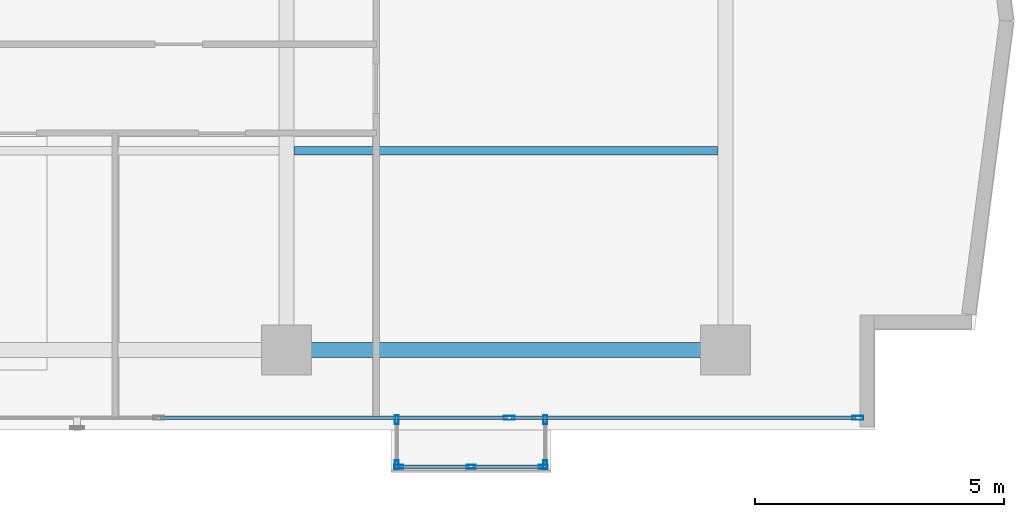
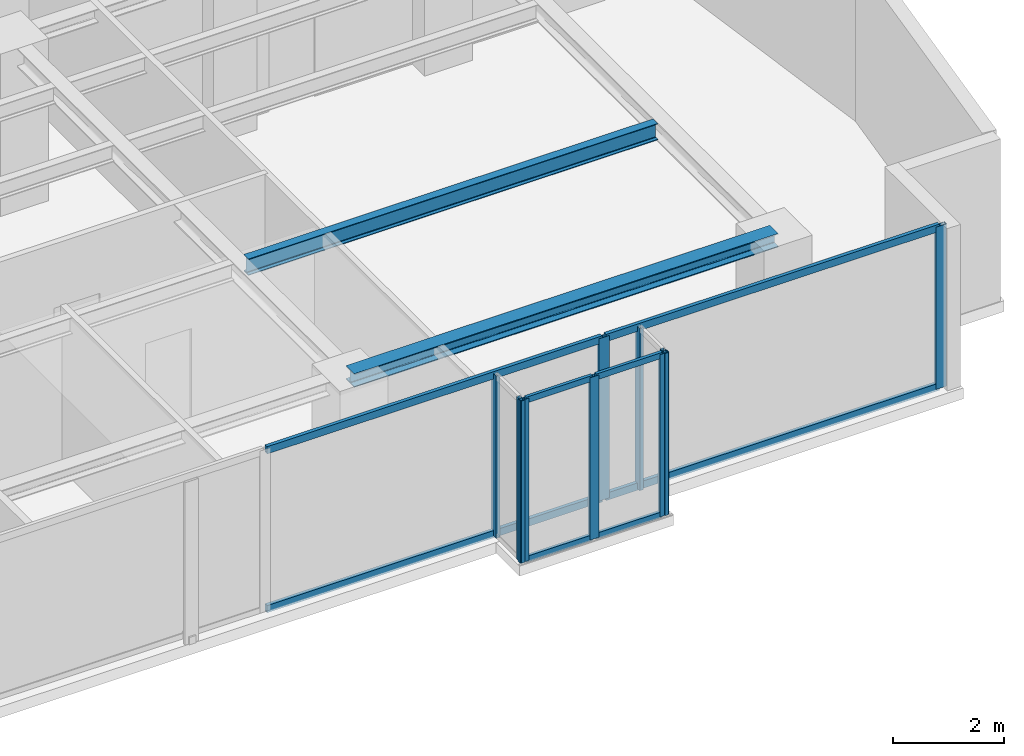
# One storey, part 10 of 23: 17 members, 2 beams, 4 elements without a shape of their own.
"""IFC4 building model written with IfcOpenShell, lengths in metres."""

from ifc_helpers import new_model, si_unit, direction, frame, origin, origin_with_axes, origin_2d, place, context, subcontext, project, spatial, hollow_rectangle, i_section, extrude, source, transform, mapped, material, layer, layer_set, material_profile, profile_set, type_object, element, aggregate, save


model = new_model("IFC4")

# Units and contexts
model_context = context("Model", 3, precision=1e-05, world=origin(), true_north=direction((0.0, 1.0)))
body_context = subcontext(model_context, "Body", "Model", "MODEL_VIEW")
ifc_project = project(units=[si_unit("LENGTHUNIT", "METRE"), si_unit("AREAUNIT", "SQUARE_METRE"), si_unit("VOLUMEUNIT", "CUBIC_METRE"), si_unit("PLANEANGLEUNIT", "RADIAN"), si_unit("MASSUNIT", "GRAM", prefix="KILO")], contexts=[model_context])

# Site, building, storey
site_placement = place(None, origin())
site = spatial("IfcSite", under=ifc_project, at=site_placement, CompositionType="ELEMENT")
building_placement = place(site_placement, origin())
building = spatial("IfcBuilding", under=site, at=building_placement, Name="Kolvaren Waterfront Exchange", CompositionType="ELEMENT")
storey_placement = place(building_placement, frame((0.0, 0.0, 242.5)))
storey = spatial("IfcBuildingStorey", under=building, at=storey_placement, Name="L62", CompositionType="ELEMENT", Elevation=242.5)

# Beams
ifc_material_1 = material(Name="Steel S355", Category="steel")
ifc_material_profile_1 = material_profile(ifc_material_1, i_section(OverallWidth=0.300048828125, OverallDepth=0.300048828125, WebThickness=0.010986328125, FlangeThickness=0.01904296875, FilletRadius=0.027099609375, at=origin_2d()), Name="HEB300")
ifc_profile_set_1 = profile_set([ifc_material_profile_1], Name="Steel S355")
beam_type_1 = type_object("IfcBeamType", Name="STR-BM-HEB300", PredefinedType="SPANDREL", material=ifc_profile_set_1)
beam_1_placement = place(storey_placement, frame((36.800048828125, 5.199951171875, 3.409912109375), z_axis=(1.0, 0.0, 0.0), x_axis=(0.0, 1.0, 0.0)))
element("IfcBeam", 1, at=beam_1_placement, inside=storey, type_object=beam_type_1, Name="L62 east-arm spandrel S3", PredefinedType="SPANDREL", context=body_context, shape_type="SweptSolid", body=[
    extrude(i_section(OverallWidth=0.300048828125, OverallDepth=0.300048828125, WebThickness=0.010986328125, FlangeThickness=0.01904296875, FilletRadius=0.027099609375, at=origin_2d()), origin(), (0.0, 0.0, 1.0), 8.800048828125),
])
ifc_material_profile_2 = material_profile(ifc_material_1, i_section(OverallWidth=0.169921875, OverallDepth=0.360107421875, WebThickness=0.008056640625, FlangeThickness=0.0126953125, FilletRadius=0.01806640625, at=origin_2d()), Name="IPE360")
ifc_profile_set_2 = profile_set([ifc_material_profile_2], Name="Steel S355")
beam_type_2 = type_object("IfcBeamType", Name="STR-BM-IPE360", PredefinedType="JOIST", material=ifc_profile_set_2)
beam_2_placement = place(storey_placement, frame((36.951904296875, 9.199951171875, 3.3798828125), z_axis=(1.0, 0.0, 0.0), x_axis=(0.0, 1.0, 0.0)))
element("IfcBeam", 2, at=beam_2_placement, inside=storey, type_object=beam_type_2, Name="L62 east-arm composite joist 3B", PredefinedType="JOIST", context=body_context, shape_type="SweptSolid", body=[
    extrude(i_section(OverallWidth=0.169921875, OverallDepth=0.360107421875, WebThickness=0.008056640625, FlangeThickness=0.0126953125, FilletRadius=0.01806640625, at=origin_2d()), origin(), (0.0, 0.0, 1.0), 8.49609375),
])

# Curtain wall, members
ifc_material_2 = material(Name="Anodised bronze aluminium 6063-T6", Category="aluminium")
ifc_layer_1 = layer(ifc_material_2, 0.219970703125, Name="Anodised bronze aluminium 6063-T6")
ifc_layer_set_1 = layer_set([ifc_layer_1], Name="Anodised bronze aluminium 6063-T6")
curtain_wall_type_1 = type_object("IfcCurtainWallType", Name="ARC-CW-SYS3", PredefinedType="USERDEFINED", material=ifc_layer_set_1)
curtain_wall_1_placement = place(storey_placement, origin())
curtain_wall_1 = element("IfcCurtainWall", 3, at=curtain_wall_1_placement, inside=storey, type_object=curtain_wall_type_1, Name="L62 stick curtain wall CW3 (CW-L62-BOX)", ObjectType="STICK CURTAIN WALL", PredefinedType="USERDEFINED")
ifc_material_profile_3 = material_profile(ifc_material_2, hollow_rectangle(XDim=0.06494140625, YDim=0.1298828125, WallThickness=0.00390625, at=origin_2d()), Name="ALU-TRN-130x65x4")
ifc_profile_set_3 = profile_set([ifc_material_profile_3], Name="Anodised bronze aluminium 6063-T6")
member_type_1 = type_object("IfcMemberType", Name="ARC-CWT-130", PredefinedType="USERDEFINED", material=ifc_profile_set_3)
shared_shape_1 = source(origin_with_axes(), body_context, "Body", "SweptSolid", [
    extrude(hollow_rectangle(XDim=0.06494140625, YDim=0.1298828125, WallThickness=0.00390625, at=origin_2d()), origin(), (0.0, 0.0, 1.0), 1.37744140625),
])
member_1_placement = place(storey_placement, frame((39.0849609375, 2.860107421875, 0.032470703125), z_axis=(1.0, 0.0, 0.0), x_axis=(0.0, 1.0, 0.0)))
member_1 = element("IfcMember", 4, at=member_1_placement, type_object=member_type_1, Name="CW3 transom 1.1", ObjectType="TRANSOM", PredefinedType="USERDEFINED", context=body_context, shape_type="MappedRepresentation", body=[
    mapped(shared_shape_1, transform((0.0, 0.0, 0.0), x_axis=(1.0, 0.0, 0.0), y_axis=(0.0, 1.0, 0.0), z_axis=(0.0, 0.0, 1.0), scale=1.0)),
])
member_2_placement = place(storey_placement, frame((39.0849609375, 2.860107421875, 3.527587890625), z_axis=(1.0, 0.0, 0.0), x_axis=(0.0, 1.0, 0.0)))
member_2 = element("IfcMember", 5, at=member_2_placement, type_object=member_type_1, Name="CW3 transom 1.2", ObjectType="TRANSOM", PredefinedType="USERDEFINED", context=body_context, shape_type="MappedRepresentation", body=[
    mapped(shared_shape_1, transform((0.0, 0.0, 0.0), x_axis=(1.0, 0.0, 0.0), y_axis=(0.0, 1.0, 0.0), z_axis=(0.0, 0.0, 1.0), scale=1.0)),
])
member_3_placement = place(storey_placement, frame((40.53759765625, 2.860107421875, 0.032470703125), z_axis=(1.0, 0.0, 0.0), x_axis=(0.0, 1.0, 0.0)))
member_3 = element("IfcMember", 6, at=member_3_placement, type_object=member_type_1, Name="CW3 transom 2.1", ObjectType="TRANSOM", PredefinedType="USERDEFINED", context=body_context, shape_type="MappedRepresentation", body=[
    mapped(shared_shape_1, transform((0.0, 0.0, 0.0), x_axis=(1.0, 0.0, 0.0), y_axis=(0.0, 1.0, 0.0), z_axis=(0.0, 0.0, 1.0), scale=1.0)),
])
member_4_placement = place(storey_placement, frame((40.53759765625, 2.860107421875, 3.527587890625), z_axis=(1.0, 0.0, 0.0), x_axis=(0.0, 1.0, 0.0)))
member_4 = element("IfcMember", 7, at=member_4_placement, type_object=member_type_1, Name="CW3 transom 2.2", ObjectType="TRANSOM", PredefinedType="USERDEFINED", context=body_context, shape_type="MappedRepresentation", body=[
    mapped(shared_shape_1, transform((0.0, 0.0, 0.0), x_axis=(1.0, 0.0, 0.0), y_axis=(0.0, 1.0, 0.0), z_axis=(0.0, 0.0, 1.0), scale=1.0)),
])

curtain_wall_2_placement = place(storey_placement, origin())
curtain_wall_2 = element("IfcCurtainWall", 8, at=curtain_wall_2_placement, inside=storey, type_object=curtain_wall_type_1, Name="L62 stick curtain wall CW3 (CW-L62-BOX-W)", ObjectType="STICK CURTAIN WALL", PredefinedType="USERDEFINED")
ifc_material_profile_4 = material_profile(ifc_material_2, hollow_rectangle(XDim=0.074951171875, YDim=0.179931640625, WallThickness=0.00439453125, at=origin_2d()), Name="ALU-MUL-180x75x4.5")
ifc_profile_set_4 = profile_set([ifc_material_profile_4], Name="Anodised bronze aluminium 6063-T6")
member_type_2 = type_object("IfcMemberType", Name="ARC-CWM-180", PredefinedType="MULLION", material=ifc_profile_set_4)
shared_shape_2 = source(origin_with_axes(), body_context, "Body", "SweptSolid", [
    extrude(hollow_rectangle(XDim=0.074951171875, YDim=0.179931640625, WallThickness=0.00439453125, at=origin_2d()), origin(), (0.0, 0.0, 1.0), 3.56005859375),
])
member_5_placement = place(storey_placement, frame((39.010009765625, 3.802490234375, 0.0), z_axis=(0.0, 0.0, 1.0), x_axis=(1.0, 0.0, 0.0)))
member_5 = element("IfcMember", 9, at=member_5_placement, type_object=member_type_2, Name="CW3 mullion 1", PredefinedType="MULLION", context=body_context, shape_type="MappedRepresentation", body=[
    mapped(shared_shape_2, transform((0.0, 0.0, 0.0), x_axis=(1.0, 0.0, 0.0), y_axis=(0.0, 1.0, 0.0), z_axis=(0.0, 0.0, 1.0), scale=1.0)),
])
member_6_placement = place(storey_placement, frame((39.010009765625, 2.8974609375, 0.0), z_axis=(0.0, 0.0, 1.0), x_axis=(1.0, 0.0, 0.0)))
member_6 = element("IfcMember", 10, at=member_6_placement, type_object=member_type_2, Name="CW3 mullion 2", PredefinedType="MULLION", context=body_context, shape_type="MappedRepresentation", body=[
    mapped(shared_shape_2, transform((0.0, 0.0, 0.0), x_axis=(1.0, 0.0, 0.0), y_axis=(0.0, 1.0, 0.0), z_axis=(0.0, 0.0, 1.0), scale=1.0)),
])
aggregate(curtain_wall_2, [member_5, member_6])

# Member
member_7_placement = place(storey_placement, frame((39.047607421875, 2.860107421875, 0.0), z_axis=(0.0, 0.0, 1.0), x_axis=(0.0, 1.0, 0.0)))
member_7 = element("IfcMember", 11, at=member_7_placement, type_object=member_type_2, Name="CW3 mullion 1", PredefinedType="MULLION", context=body_context, shape_type="MappedRepresentation", body=[
    mapped(shared_shape_2, transform((0.0, 0.0, 0.0), x_axis=(1.0, 0.0, 0.0), y_axis=(0.0, 1.0, 0.0), z_axis=(0.0, 0.0, 1.0), scale=1.0)),
])

member_8_placement = place(storey_placement, frame((40.5, 2.860107421875, 0.0), z_axis=(0.0, 0.0, 1.0), x_axis=(0.0, 1.0, 0.0)))
member_8 = element("IfcMember", 12, at=member_8_placement, type_object=member_type_2, Name="CW3 mullion 2", PredefinedType="MULLION", context=body_context, shape_type="MappedRepresentation", body=[
    mapped(shared_shape_2, transform((0.0, 0.0, 0.0), x_axis=(1.0, 0.0, 0.0), y_axis=(0.0, 1.0, 0.0), z_axis=(0.0, 0.0, 1.0), scale=1.0)),
])

member_9_placement = place(storey_placement, frame((41.952392578125, 2.860107421875, 0.0), z_axis=(0.0, 0.0, 1.0), x_axis=(0.0, 1.0, 0.0)))
member_9 = element("IfcMember", 13, at=member_9_placement, type_object=member_type_2, Name="CW3 mullion 3", PredefinedType="MULLION", context=body_context, shape_type="MappedRepresentation", body=[
    mapped(shared_shape_2, transform((0.0, 0.0, 0.0), x_axis=(1.0, 0.0, 0.0), y_axis=(0.0, 1.0, 0.0), z_axis=(0.0, 0.0, 1.0), scale=1.0)),
])

aggregate(curtain_wall_1, [member_7, member_8, member_9, member_1, member_2, member_3, member_4])

# Curtain wall, members
curtain_wall_3_placement = place(storey_placement, origin())
curtain_wall_3 = element("IfcCurtainWall", 14, at=curtain_wall_3_placement, inside=storey, type_object=curtain_wall_type_1, Name="L62 stick curtain wall CW3 (CW-L62-BOX-E)", ObjectType="STICK CURTAIN WALL", PredefinedType="USERDEFINED")
member_10_placement = place(storey_placement, frame((41.989990234375, 2.8974609375, 0.0), z_axis=(0.0, 0.0, 1.0), x_axis=(-1.0, 0.0, 0.0)))
member_10 = element("IfcMember", 15, at=member_10_placement, type_object=member_type_2, Name="CW3 mullion 1", PredefinedType="MULLION", context=body_context, shape_type="MappedRepresentation", body=[
    mapped(shared_shape_2, transform((0.0, 0.0, 0.0), x_axis=(1.0, 0.0, 0.0), y_axis=(0.0, 1.0, 0.0), z_axis=(0.0, 0.0, 1.0), scale=1.0)),
])
member_11_placement = place(storey_placement, frame((41.989990234375, 3.802490234375, 0.0), z_axis=(0.0, 0.0, 1.0), x_axis=(-1.0, 0.0, 0.0)))
member_11 = element("IfcMember", 16, at=member_11_placement, type_object=member_type_2, Name="CW3 mullion 2", PredefinedType="MULLION", context=body_context, shape_type="MappedRepresentation", body=[
    mapped(shared_shape_2, transform((0.0, 0.0, 0.0), x_axis=(1.0, 0.0, 0.0), y_axis=(0.0, 1.0, 0.0), z_axis=(0.0, 0.0, 1.0), scale=1.0)),
])
aggregate(curtain_wall_3, [member_10, member_11])

ifc_layer_2 = layer(ifc_material_2, 0.219970703125, Name="Anodised bronze aluminium 6063-T6")
ifc_layer_set_2 = layer_set([ifc_layer_2], Name="Anodised bronze aluminium 6063-T6")
curtain_wall_type_2 = type_object("IfcCurtainWallType", Name="ARC-CW-SYS1", PredefinedType="USERDEFINED", material=ifc_layer_set_2)
curtain_wall_4_placement = place(storey_placement, origin())
curtain_wall_4 = element("IfcCurtainWall", 17, at=curtain_wall_4_placement, inside=storey, type_object=curtain_wall_type_2, Name="L62 stick curtain wall CW1 (CW-L62-S)", ObjectType="STICK CURTAIN WALL", PredefinedType="USERDEFINED")
ifc_material_3 = material(Name="Anodised aluminium 6063-T6", Category="aluminium")
ifc_material_profile_5 = material_profile(ifc_material_3, hollow_rectangle(XDim=0.080078125, YDim=0.219970703125, WallThickness=0.0048828125, at=origin_2d()), Name="ALU-MUL-220x80x5")
ifc_profile_set_5 = profile_set([ifc_material_profile_5], Name="Anodised aluminium 6063-T6")
member_type_3 = type_object("IfcMemberType", Name="ARC-CWM-220", PredefinedType="MULLION", material=ifc_profile_set_5)
shared_shape_3 = source(origin_with_axes(), body_context, "Body", "SweptSolid", [
    extrude(hollow_rectangle(XDim=0.080078125, YDim=0.219970703125, WallThickness=0.0048828125, at=origin_2d()), origin(), (0.0, 0.0, 1.0), 3.56005859375),
])
member_12_placement = place(storey_placement, frame((41.2666015625, 3.840087890625, 0.0), z_axis=(0.0, 0.0, 1.0), x_axis=(0.0, 1.0, 0.0)))
member_12 = element("IfcMember", 18, at=member_12_placement, type_object=member_type_3, Name="CW1 mullion 6", PredefinedType="MULLION", context=body_context, shape_type="MappedRepresentation", body=[
    mapped(shared_shape_3, transform((0.0, 0.0, 0.0), x_axis=(1.0, 0.0, 0.0), y_axis=(0.0, 1.0, 0.0), z_axis=(0.0, 0.0, 1.0), scale=1.0)),
])
member_13_placement = place(storey_placement, frame((48.260009765625, 3.840087890625, 0.0), z_axis=(0.0, 0.0, 1.0), x_axis=(0.0, 1.0, 0.0)))
member_13 = element("IfcMember", 19, at=member_13_placement, type_object=member_type_3, Name="CW1 mullion 7", PredefinedType="MULLION", context=body_context, shape_type="MappedRepresentation", body=[
    mapped(shared_shape_3, transform((0.0, 0.0, 0.0), x_axis=(1.0, 0.0, 0.0), y_axis=(0.0, 1.0, 0.0), z_axis=(0.0, 0.0, 1.0), scale=1.0)),
])
ifc_material_profile_6 = material_profile(ifc_material_3, hollow_rectangle(XDim=0.074951171875, YDim=0.159912109375, WallThickness=0.00439453125, at=origin_2d()), Name="ALU-TRN-160x75x4.5")
ifc_profile_set_6 = profile_set([ifc_material_profile_6], Name="Anodised aluminium 6063-T6")
member_type_4 = type_object("IfcMemberType", Name="ARC-CWT-160", PredefinedType="USERDEFINED", material=ifc_profile_set_6)
shared_shape_4 = source(origin_with_axes(), body_context, "Body", "SweptSolid", [
    extrude(hollow_rectangle(XDim=0.074951171875, YDim=0.159912109375, WallThickness=0.00439453125, at=origin_2d()), origin(), (0.0, 0.0, 1.0), 6.913330078125),
])
member_14_placement = place(storey_placement, frame((41.306640625, 3.840087890625, 0.03759765625), z_axis=(1.0, 0.0, 0.0), x_axis=(0.0, 1.0, 0.0)))
member_14 = element("IfcMember", 20, at=member_14_placement, type_object=member_type_4, Name="CW1 transom 6.1", ObjectType="TRANSOM", PredefinedType="USERDEFINED", context=body_context, shape_type="MappedRepresentation", body=[
    mapped(shared_shape_4, transform((0.0, 0.0, 0.0), x_axis=(1.0, 0.0, 0.0), y_axis=(0.0, 1.0, 0.0), z_axis=(0.0, 0.0, 1.0), scale=1.0)),
])
member_15_placement = place(storey_placement, frame((41.306640625, 3.840087890625, 3.5224609375), z_axis=(1.0, 0.0, 0.0), x_axis=(0.0, 1.0, 0.0)))
member_15 = element("IfcMember", 21, at=member_15_placement, type_object=member_type_4, Name="CW1 transom 6.2", ObjectType="TRANSOM", PredefinedType="USERDEFINED", context=body_context, shape_type="MappedRepresentation", body=[
    mapped(shared_shape_4, transform((0.0, 0.0, 0.0), x_axis=(1.0, 0.0, 0.0), y_axis=(0.0, 1.0, 0.0), z_axis=(0.0, 0.0, 1.0), scale=1.0)),
])
shared_shape_5 = source(origin_with_axes(), body_context, "Body", "SweptSolid", [
    extrude(hollow_rectangle(XDim=0.074951171875, YDim=0.159912109375, WallThickness=0.00439453125, at=origin_2d()), origin(), (0.0, 0.0, 1.0), 6.953125),
])
member_16_placement = place(storey_placement, frame((34.2734375, 3.840087890625, 0.03759765625), z_axis=(1.0, 0.0, 0.0), x_axis=(0.0, 1.0, 0.0)))
member_16 = element("IfcMember", 22, at=member_16_placement, type_object=member_type_4, Name="CW1 transom 5.1", ObjectType="TRANSOM", PredefinedType="USERDEFINED", context=body_context, shape_type="MappedRepresentation", body=[
    mapped(shared_shape_5, transform((0.0, 0.0, 0.0), x_axis=(1.0, 0.0, 0.0), y_axis=(0.0, 1.0, 0.0), z_axis=(0.0, 0.0, 1.0), scale=1.0)),
])
member_17_placement = place(storey_placement, frame((34.2734375, 3.840087890625, 3.5224609375), z_axis=(1.0, 0.0, 0.0), x_axis=(0.0, 1.0, 0.0)))
member_17 = element("IfcMember", 23, at=member_17_placement, type_object=member_type_4, Name="CW1 transom 5.2", ObjectType="TRANSOM", PredefinedType="USERDEFINED", context=body_context, shape_type="MappedRepresentation", body=[
    mapped(shared_shape_5, transform((0.0, 0.0, 0.0), x_axis=(1.0, 0.0, 0.0), y_axis=(0.0, 1.0, 0.0), z_axis=(0.0, 0.0, 1.0), scale=1.0)),
])
aggregate(curtain_wall_4, [member_12, member_13, member_16, member_17, member_14, member_15])

save(model, "model.ifc")
